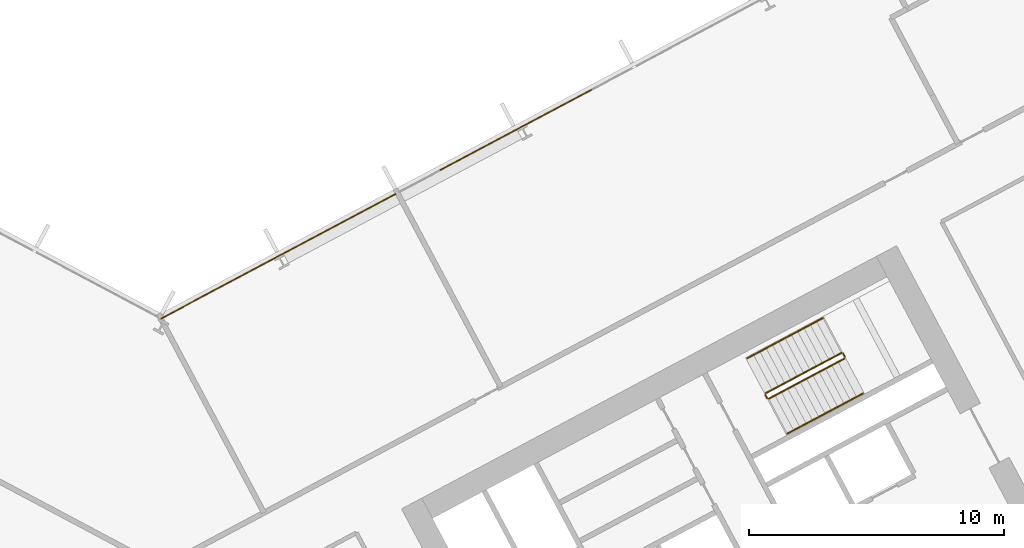
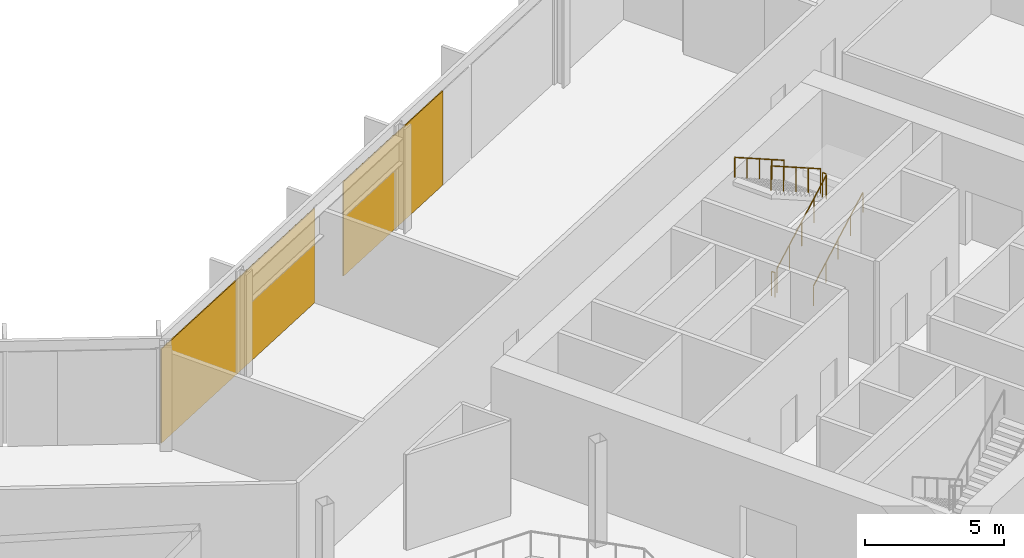
# One storey, part 30 of 32: 6 railings, 2 coverings, 1 element without a shape of its own.
"""IFC4 building model written with IfcOpenShell, lengths in metres."""

from ifc_helpers import new_model, si_unit, direction, frame, origin, origin_2d, place, context, subcontext, project, spatial, polyline, rectangle, outline, extrude, material, layer, layer_set, type_object, element, aggregate, save


model = new_model("IFC4")

# Units and contexts
model_context = context("Model", 3, precision=1e-05, world=origin(), true_north=direction((0.0, 1.0)))
body_context = subcontext(model_context, "Body", "Model", "MODEL_VIEW")
ifc_project = project(units=[si_unit("LENGTHUNIT", "METRE"), si_unit("AREAUNIT", "SQUARE_METRE"), si_unit("VOLUMEUNIT", "CUBIC_METRE"), si_unit("PLANEANGLEUNIT", "RADIAN"), si_unit("MASSUNIT", "GRAM", prefix="KILO")], contexts=[model_context])

# Site, building, storey
site_placement = place(None, origin())
site = spatial("IfcSite", under=ifc_project, at=site_placement, CompositionType="ELEMENT")
building_placement = place(site_placement, origin())
building = spatial("IfcBuilding", under=site, at=building_placement, Name="Cormorant Relay Tower", CompositionType="ELEMENT")
storey_placement = place(building_placement, frame((0.0, 0.0, 66.199951171875)))
storey = spatial("IfcBuildingStorey", under=building, at=storey_placement, Name="L12", CompositionType="ELEMENT", Elevation=66.199951171875)

# Curtain wall, coverings
ifc_material_1 = material(Name="Aluminium 6063-T6 anodised bronze", Category="aluminium")
ifc_layer_1 = layer(ifc_material_1, 0.199951171875)
ifc_layer_set_1 = layer_set([ifc_layer_1], Name="CW1 unitised bronze curtain wall with vertical fins")
curtain_wall_type = type_object("IfcCurtainWallType", Name="CW1 unitised bronze curtain wall with vertical fins", PredefinedType="NOTDEFINED", material=ifc_layer_set_1)
curtain_wall_placement = place(storey_placement, origin())
curtain_wall = element("IfcCurtainWall", 1, at=curtain_wall_placement, inside=storey, type_object=curtain_wall_type, Name="CW1 curtain wall 6", PredefinedType="NOTDEFINED")
ifc_material_2 = material(Name="Pale bronze anodised aluminium insulated panel", Category="aluminium")
ifc_layer_2 = layer(ifc_material_2, 0.0400390625)
ifc_layer_set_2 = layer_set([ifc_layer_2], Name="CW1 pale bronze insulated panel 40")
covering_type = type_object("IfcCoveringType", Name="CW1 pale bronze insulated panel 40", PredefinedType="CLADDING", material=ifc_layer_set_2)
covering_1_placement = place(storey_placement, frame((13.917236328125, 31.20654296875, 0.0), z_axis=(0.0, 0.0, 1.0), x_axis=(-0.882947592859, -0.469471562786, 0.0)))
covering_1 = element("IfcCovering", 2, at=covering_1_placement, type_object=covering_type, Name="CW1 panel S07", PredefinedType="CLADDING", context=body_context, shape_type="SweptSolid", body=[
    extrude(rectangle(XDim=6.765380859375, YDim=0.0400390625, at=origin_2d()), origin(), (0.0, 0.0, 1.0), 4.14990234375),
])
covering_2_placement = place(storey_placement, frame((4.599609375, 26.252197265625, 0.0), z_axis=(0.0, 0.0, 1.0), x_axis=(-0.882947592859, -0.469471562786, 0.0)))
covering_2 = element("IfcCovering", 3, at=covering_2_placement, type_object=covering_type, Name="CW1 panel S09", PredefinedType="CLADDING", context=body_context, shape_type="SweptSolid", body=[
    extrude(rectangle(XDim=10.440185546875, YDim=0.0400390625, at=origin_2d()), origin(), (0.0, 0.0, 1.0), 4.14990234375),
])
aggregate(curtain_wall, [covering_1, covering_2])

# Railings
ifc_material_3 = material(Name="Steel ASTM A572 Grade 50 (Fy 345 MPa)", Category="steel")
railing_type_1 = type_object("IfcRailingType", Name="Stair guard 1100", PredefinedType="GUARDRAIL", material=ifc_material_3)
railing_1_placement = place(storey_placement, frame((23.8408203125, 20.6611328125, 0.177001953125)))
element("IfcRailing", 4, at=railing_1_placement, inside=storey, type_object=railing_type_1, Name="L12 B2 stair guard 1", PredefinedType="GUARDRAIL", context=body_context, shape_type="SweptSolid", body=[
    extrude(outline(polyline([(0.022216796875, 0.00927734375), (0.00927734375, 0.022216796875), (-0.00927734375, 0.022216796875), (-0.022216796875, 0.00927734375), (-0.022216796875, -0.00927734375), (-0.00927734375, -0.022216796875), (0.00927734375, -0.022216796875), (0.022216796875, -0.00927734375), (0.022216796875, 0.00927734375)])), frame((0.0, 0.0, 1.076171875), z_axis=(0.746440668329, 0.396869088057, 0.534154711306), x_axis=(-0.46945269911, 0.882957622595, 0.0)), (0.0, 0.0, 1.0), 3.974609375),
    extrude(outline(polyline([(0.019287109375, 0.008056640625), (0.008056640625, 0.019287109375), (-0.008056640625, 0.019287109375), (-0.019287109375, 0.008056640625), (-0.019287109375, -0.008056640625), (-0.008056640625, -0.019287109375), (0.008056640625, -0.019287109375), (0.019287109375, -0.008056640625), (0.019287109375, 0.008056640625)])), origin(), (0.0, 0.0, 1.0), 1.052001953125),
    extrude(outline(polyline([(0.019287109375, 0.008056640625), (0.008056640625, 0.019287109375), (-0.008056640625, 0.019287109375), (-0.019287109375, 0.008056640625), (-0.019287109375, -0.008056640625), (-0.008056640625, -0.019287109375), (0.008056640625, -0.019287109375), (0.019287109375, -0.008056640625), (0.019287109375, 0.008056640625)])), frame((0.74169921875, 0.394287109375, 0.53076171875)), (0.0, 0.0, 1.0), 1.052001953125),
    extrude(outline(polyline([(0.019287109375, 0.008056640625), (0.008056640625, 0.019287109375), (-0.008056640625, 0.019287109375), (-0.019287109375, 0.008056640625), (-0.019287109375, -0.008056640625), (-0.008056640625, -0.019287109375), (0.008056640625, -0.019287109375), (0.019287109375, -0.008056640625), (0.019287109375, 0.008056640625)])), frame((1.4833984375, 0.78857421875, 1.0615234375)), (0.0, 0.0, 1.0), 1.052001953125),
    extrude(outline(polyline([(0.019287109375, 0.008056640625), (0.008056640625, 0.019287109375), (-0.008056640625, 0.019287109375), (-0.019287109375, 0.008056640625), (-0.019287109375, -0.008056640625), (-0.008056640625, -0.019287109375), (0.008056640625, -0.019287109375), (0.019287109375, -0.008056640625), (0.019287109375, 0.008056640625)])), frame((2.22509765625, 1.18310546875, 1.59228515625)), (0.0, 0.0, 1.0), 1.052001953125),
    extrude(outline(polyline([(0.019287109375, 0.008056640625), (0.008056640625, 0.019287109375), (-0.008056640625, 0.019287109375), (-0.019287109375, 0.008056640625), (-0.019287109375, -0.008056640625), (-0.008056640625, -0.019287109375), (0.008056640625, -0.019287109375), (0.019287109375, -0.008056640625), (0.019287109375, 0.008056640625)])), frame((2.966796875, 1.577392578125, 2.123046875)), (0.0, 0.0, 1.0), 1.052001953125),
])
railing_2_placement = place(storey_placement, frame((26.828125, 22.30615234375, 2.300048828125)))
element("IfcRailing", 5, at=railing_2_placement, inside=storey, type_object=railing_type_1, Name="L12 B2 stair guard 2", PredefinedType="GUARDRAIL", context=body_context, shape_type="SweptSolid", body=[
    extrude(outline(polyline([(0.022216796875, 0.00927734375), (0.00927734375, 0.022216796875), (-0.00927734375, 0.022216796875), (-0.022216796875, 0.00927734375), (-0.022216796875, -0.00927734375), (-0.00927734375, -0.022216796875), (0.00927734375, -0.022216796875), (0.022216796875, -0.00927734375), (0.022216796875, 0.00927734375)])), frame((0.0, 0.0, 1.076171875), z_axis=(-0.469234640946, 0.883073525669, 0.0), x_axis=(-0.883073525669, -0.469234640946, 0.0)), (0.0, 0.0, 1.0), 0.14990234375),
    extrude(outline(polyline([(0.019287109375, 0.008056640625), (0.008056640625, 0.019287109375), (-0.008056640625, 0.019287109375), (-0.019287109375, 0.008056640625), (-0.019287109375, -0.008056640625), (-0.008056640625, -0.019287109375), (0.008056640625, -0.019287109375), (0.019287109375, -0.008056640625), (0.019287109375, 0.008056640625)])), origin(), (0.0, 0.0, 1.0), 1.052001953125),
    extrude(outline(polyline([(0.019287109375, 0.008056640625), (0.008056640625, 0.019287109375), (-0.008056640625, 0.019287109375), (-0.019287109375, 0.008056640625), (-0.019287109375, -0.008056640625), (-0.008056640625, -0.019287109375), (0.008056640625, -0.019287109375), (0.019287109375, -0.008056640625), (0.019287109375, 0.008056640625)])), frame((-0.0703125, 0.13232421875, 0.0)), (0.0, 0.0, 1.0), 1.052001953125),
])
railing_3_placement = place(storey_placement, frame((26.690185546875, 22.459228515625, 2.47705078125)))
element("IfcRailing", 6, at=railing_3_placement, inside=storey, type_object=railing_type_1, Name="L12 B2 stair guard 3", PredefinedType="GUARDRAIL", context=body_context, shape_type="SweptSolid", body=[
    extrude(outline(polyline([(0.022216796875, 0.00927734375), (0.00927734375, 0.022216796875), (-0.00927734375, 0.022216796875), (-0.022216796875, 0.00927734375), (-0.022216796875, -0.00927734375), (-0.00927734375, -0.022216796875), (0.00927734375, -0.022216796875), (0.022216796875, -0.00927734375), (0.022216796875, 0.00927734375)])), frame((0.0, 0.0, 1.076171875), z_axis=(-0.746440668329, -0.396869088057, 0.534154711306), x_axis=(0.46945269911, -0.882957622595, 0.0)), (0.0, 0.0, 1.0), 3.974609375),
    extrude(outline(polyline([(0.019287109375, 0.008056640625), (0.008056640625, 0.019287109375), (-0.008056640625, 0.019287109375), (-0.019287109375, 0.008056640625), (-0.019287109375, -0.008056640625), (-0.008056640625, -0.019287109375), (0.008056640625, -0.019287109375), (0.019287109375, -0.008056640625), (0.019287109375, 0.008056640625)])), origin(), (0.0, 0.0, 1.0), 1.052001953125),
    extrude(outline(polyline([(0.019287109375, 0.008056640625), (0.008056640625, 0.019287109375), (-0.008056640625, 0.019287109375), (-0.019287109375, 0.008056640625), (-0.019287109375, -0.008056640625), (-0.008056640625, -0.019287109375), (0.008056640625, -0.019287109375), (0.019287109375, -0.008056640625), (0.019287109375, 0.008056640625)])), frame((-0.74169921875, -0.394287109375, 0.53076171875)), (0.0, 0.0, 1.0), 1.052001953125),
    extrude(outline(polyline([(0.019287109375, 0.008056640625), (0.008056640625, 0.019287109375), (-0.008056640625, 0.019287109375), (-0.019287109375, 0.008056640625), (-0.019287109375, -0.008056640625), (-0.008056640625, -0.019287109375), (0.008056640625, -0.019287109375), (0.019287109375, -0.008056640625), (0.019287109375, 0.008056640625)])), frame((-1.4833984375, -0.78857421875, 1.0615234375)), (0.0, 0.0, 1.0), 1.052001953125),
    extrude(outline(polyline([(0.019287109375, 0.008056640625), (0.008056640625, 0.019287109375), (-0.008056640625, 0.019287109375), (-0.019287109375, 0.008056640625), (-0.019287109375, -0.008056640625), (-0.008056640625, -0.019287109375), (0.008056640625, -0.019287109375), (0.019287109375, -0.008056640625), (0.019287109375, 0.008056640625)])), frame((-2.22509765625, -1.18310546875, 1.59228515625)), (0.0, 0.0, 1.0), 1.052001953125),
    extrude(outline(polyline([(0.019287109375, 0.008056640625), (0.008056640625, 0.019287109375), (-0.008056640625, 0.019287109375), (-0.019287109375, 0.008056640625), (-0.019287109375, -0.008056640625), (-0.008056640625, -0.019287109375), (0.008056640625, -0.019287109375), (0.019287109375, -0.008056640625), (0.019287109375, 0.008056640625)])), frame((-2.966796875, -1.577392578125, 2.123046875)), (0.0, 0.0, 1.0), 1.052001953125),
])
railing_4_placement = place(storey_placement, frame((23.773193359375, 20.681640625, 0.0)))
element("IfcRailing", 7, at=railing_4_placement, inside=storey, type_object=railing_type_1, Name="L12 B2 stair guard 4", PredefinedType="GUARDRAIL", context=body_context, shape_type="SweptSolid", body=[
    extrude(outline(polyline([(0.022216796875, 0.00927734375), (0.00927734375, 0.022216796875), (-0.00927734375, 0.022216796875), (-0.022216796875, 0.00927734375), (-0.022216796875, -0.00927734375), (-0.00927734375, -0.022216796875), (0.00927734375, -0.022216796875), (0.022216796875, -0.00927734375), (0.022216796875, 0.00927734375)])), frame((0.0, 0.0, 1.076171875), z_axis=(-0.46856034887, 0.8834314911, 0.0), x_axis=(-0.8834314911, -0.46856034887, 0.0)), (0.0, 0.0, 1.0), 0.150146484375),
    extrude(outline(polyline([(0.019287109375, 0.008056640625), (0.008056640625, 0.019287109375), (-0.008056640625, 0.019287109375), (-0.019287109375, 0.008056640625), (-0.019287109375, -0.008056640625), (-0.008056640625, -0.019287109375), (0.008056640625, -0.019287109375), (0.019287109375, -0.008056640625), (0.019287109375, 0.008056640625)])), origin(), (0.0, 0.0, 1.0), 1.052001953125),
    extrude(outline(polyline([(0.019287109375, 0.008056640625), (0.008056640625, 0.019287109375), (-0.008056640625, 0.019287109375), (-0.019287109375, 0.008056640625), (-0.019287109375, -0.008056640625), (-0.008056640625, -0.019287109375), (0.008056640625, -0.019287109375), (0.019287109375, -0.008056640625), (0.019287109375, 0.008056640625)])), frame((-0.0703125, 0.132568359375, 0.0)), (0.0, 0.0, 1.0), 1.052001953125),
])
ifc_material_4 = material(Name="Steel ASTM A572 Grade 50 (Fy 345 MPa)", Category="steel")
railing_type_2 = type_object("IfcRailingType", Name="Stair handrail 900", PredefinedType="HANDRAIL", material=ifc_material_4)
railing_5_placement = place(storey_placement, frame((24.568603515625, 19.29248046875, 0.177001953125)))
element("IfcRailing", 8, at=railing_5_placement, inside=storey, type_object=railing_type_2, Name="L12 B2 stair handrail 1", PredefinedType="HANDRAIL", context=body_context, shape_type="SweptSolid", body=[
    extrude(outline(polyline([(0.022216796875, 0.00927734375), (0.00927734375, 0.022216796875), (-0.00927734375, 0.022216796875), (-0.022216796875, 0.00927734375), (-0.022216796875, -0.00927734375), (-0.00927734375, -0.022216796875), (0.00927734375, -0.022216796875), (0.022216796875, -0.00927734375), (0.022216796875, 0.00927734375)])), frame((0.0, 0.0, 0.8759765625), z_axis=(0.746413465702, 0.396887285154, 0.534179203172), x_axis=(-0.469482818608, 0.88294160794, 0.0)), (0.0, 0.0, 1.0), 3.974365234375),
    extrude(outline(polyline([(0.019287109375, 0.008056640625), (0.008056640625, 0.019287109375), (-0.008056640625, 0.019287109375), (-0.019287109375, 0.008056640625), (-0.019287109375, -0.008056640625), (-0.008056640625, -0.019287109375), (0.008056640625, -0.019287109375), (0.019287109375, -0.008056640625), (0.019287109375, 0.008056640625)])), origin(), (0.0, 0.0, 1.0), 0.851806640625),
    extrude(outline(polyline([(0.019287109375, 0.008056640625), (0.008056640625, 0.019287109375), (-0.008056640625, 0.019287109375), (-0.019287109375, 0.008056640625), (-0.019287109375, -0.008056640625), (-0.008056640625, -0.019287109375), (0.008056640625, -0.019287109375), (0.019287109375, -0.008056640625), (0.019287109375, 0.008056640625)])), frame((0.74169921875, 0.394287109375, 0.53076171875)), (0.0, 0.0, 1.0), 0.851806640625),
    extrude(outline(polyline([(0.019287109375, 0.008056640625), (0.008056640625, 0.019287109375), (-0.008056640625, 0.019287109375), (-0.019287109375, 0.008056640625), (-0.019287109375, -0.008056640625), (-0.008056640625, -0.019287109375), (0.008056640625, -0.019287109375), (0.019287109375, -0.008056640625), (0.019287109375, 0.008056640625)])), frame((1.4833984375, 0.78857421875, 1.0615234375)), (0.0, 0.0, 1.0), 0.851806640625),
    extrude(outline(polyline([(0.019287109375, 0.008056640625), (0.008056640625, 0.019287109375), (-0.008056640625, 0.019287109375), (-0.019287109375, 0.008056640625), (-0.019287109375, -0.008056640625), (-0.008056640625, -0.019287109375), (0.008056640625, -0.019287109375), (0.019287109375, -0.008056640625), (0.019287109375, 0.008056640625)])), frame((2.224853515625, 1.18310546875, 1.59228515625)), (0.0, 0.0, 1.0), 0.851806640625),
    extrude(outline(polyline([(0.019287109375, 0.008056640625), (0.008056640625, 0.019287109375), (-0.008056640625, 0.019287109375), (-0.019287109375, 0.008056640625), (-0.019287109375, -0.008056640625), (-0.008056640625, -0.019287109375), (0.008056640625, -0.019287109375), (0.019287109375, -0.008056640625), (0.019287109375, 0.008056640625)])), frame((2.966552734375, 1.577392578125, 2.123046875)), (0.0, 0.0, 1.0), 0.851806640625),
])
railing_6_placement = place(storey_placement, frame((25.96240234375, 23.827880859375, 2.47705078125)))
element("IfcRailing", 9, at=railing_6_placement, inside=storey, type_object=railing_type_2, Name="L12 B2 stair handrail 2", PredefinedType="HANDRAIL", context=body_context, shape_type="SweptSolid", body=[
    extrude(outline(polyline([(0.022216796875, 0.00927734375), (0.00927734375, 0.022216796875), (-0.00927734375, 0.022216796875), (-0.022216796875, 0.00927734375), (-0.022216796875, -0.00927734375), (-0.00927734375, -0.022216796875), (0.00927734375, -0.022216796875), (0.022216796875, -0.00927734375), (0.022216796875, 0.00927734375)])), frame((0.0, 0.0, 0.8759765625), z_axis=(-0.74639526736, -0.39693903528, 0.534166179324), x_axis=(0.469539463624, -0.882911485994, 0.0)), (0.0, 0.0, 1.0), 3.974609375),
    extrude(outline(polyline([(0.019287109375, 0.008056640625), (0.008056640625, 0.019287109375), (-0.008056640625, 0.019287109375), (-0.019287109375, 0.008056640625), (-0.019287109375, -0.008056640625), (-0.008056640625, -0.019287109375), (0.008056640625, -0.019287109375), (0.019287109375, -0.008056640625), (0.019287109375, 0.008056640625)])), origin(), (0.0, 0.0, 1.0), 0.851806640625),
    extrude(outline(polyline([(0.019287109375, 0.008056640625), (0.008056640625, 0.019287109375), (-0.008056640625, 0.019287109375), (-0.019287109375, 0.008056640625), (-0.019287109375, -0.008056640625), (-0.008056640625, -0.019287109375), (0.008056640625, -0.019287109375), (0.019287109375, -0.008056640625), (0.019287109375, 0.008056640625)])), frame((-0.74169921875, -0.39453125, 0.53076171875)), (0.0, 0.0, 1.0), 0.851806640625),
    extrude(outline(polyline([(0.019287109375, 0.008056640625), (0.008056640625, 0.019287109375), (-0.008056640625, 0.019287109375), (-0.019287109375, 0.008056640625), (-0.019287109375, -0.008056640625), (-0.008056640625, -0.019287109375), (0.008056640625, -0.019287109375), (0.019287109375, -0.008056640625), (0.019287109375, 0.008056640625)])), frame((-1.4833984375, -0.788818359375, 1.0615234375)), (0.0, 0.0, 1.0), 0.851806640625),
    extrude(outline(polyline([(0.019287109375, 0.008056640625), (0.008056640625, 0.019287109375), (-0.008056640625, 0.019287109375), (-0.019287109375, 0.008056640625), (-0.019287109375, -0.008056640625), (-0.008056640625, -0.019287109375), (0.008056640625, -0.019287109375), (0.019287109375, -0.008056640625), (0.019287109375, 0.008056640625)])), frame((-2.224853515625, -1.18310546875, 1.59228515625)), (0.0, 0.0, 1.0), 0.851806640625),
    extrude(outline(polyline([(0.019287109375, 0.008056640625), (0.008056640625, 0.019287109375), (-0.008056640625, 0.019287109375), (-0.019287109375, 0.008056640625), (-0.019287109375, -0.008056640625), (-0.008056640625, -0.019287109375), (0.008056640625, -0.019287109375), (0.019287109375, -0.008056640625), (0.019287109375, 0.008056640625)])), frame((-2.966552734375, -1.57763671875, 2.123046875)), (0.0, 0.0, 1.0), 0.851806640625),
])

save(model, "model.ifc")
